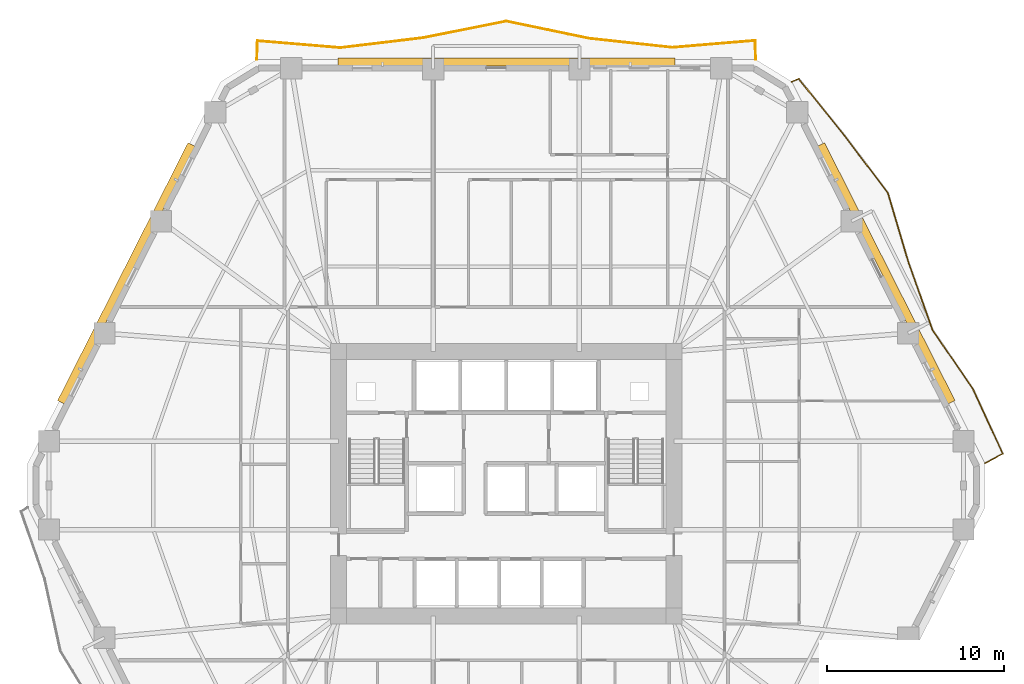
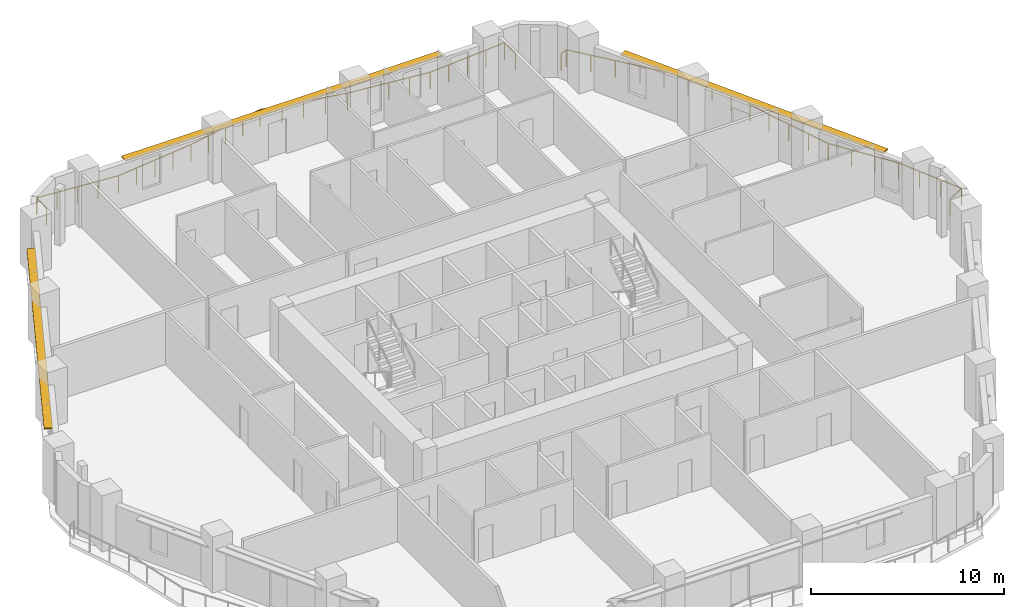
# One storey, part 13 of 13: 3 shading devices, 2 railings.
"""IFC4 building model written with IfcOpenShell, lengths in metres."""

from ifc_helpers import new_model, si_unit, direction, frame, origin, origin_2d, place, context, subcontext, project, spatial, rectangle, extrude, material, layer, layer_set, type_object, element, save


model = new_model("IFC4")

# Units and contexts
model_context = context("Model", 3, precision=1e-05, world=origin(), true_north=direction((0.0, 1.0)))
body_context = subcontext(model_context, "Body", "Model", "MODEL_VIEW")
ifc_project = project(units=[si_unit("LENGTHUNIT", "METRE"), si_unit("AREAUNIT", "SQUARE_METRE"), si_unit("VOLUMEUNIT", "CUBIC_METRE"), si_unit("PLANEANGLEUNIT", "RADIAN"), si_unit("MASSUNIT", "GRAM", prefix="KILO")], contexts=[model_context])

# Site, building, storey
site_placement = place(None, origin())
site = spatial("IfcSite", under=ifc_project, at=site_placement, CompositionType="ELEMENT")
building_placement = place(site_placement, origin())
building = spatial("IfcBuilding", under=site, at=building_placement, Name="Cinnabar Lancet Tower", CompositionType="ELEMENT")
storey_placement = place(building_placement, frame((0.0, 0.0, 63.949951171875)))
storey = spatial("IfcBuildingStorey", under=building, at=storey_placement, Name="L16", CompositionType="ELEMENT", Elevation=63.949951171875)

# Railings
ifc_material_1 = material(Name="Laminated safety glass and bronze stainless steel balustrade", Category="steel")
railing_type = type_object("IfcRailingType", Name="ENV-RLG-BAL-1100", PredefinedType="BALUSTRADE", material=ifc_material_1)
railing_1_placement = place(storey_placement, frame((59.367919921875, 27.049072265625, 0.0)))
element("IfcRailing", 1, at=railing_1_placement, inside=storey, type_object=railing_type, Name="L16 Face 3 Wave Balcony Balustrade", PredefinedType="BALUSTRADE", context=body_context, shape_type="SweptSolid", body=[
    extrude(rectangle(XDim=0.048095703125, YDim=0.048095703125, at=origin_2d()), frame((0.0, 0.0, 1.076171875), z_axis=(0.880930131832, 0.473246344761, 0.0), x_axis=(-0.473246344761, 0.880930131832, 0.0)), (0.0, 0.0, 1.0), 1.143310546875),
    extrude(rectangle(XDim=0.048095703125, YDim=0.048095703125, at=origin_2d()), frame((1.007080078125, 0.541015625, 1.076171875), z_axis=(-0.419255107673, 0.907868467726, 0.0), x_axis=(-0.907868467726, -0.419255107673, 0.0)), (0.0, 0.0, 1.0), 4.00927734375),
    extrude(rectangle(XDim=0.048095703125, YDim=0.048095703125, at=origin_2d()), frame((-0.673828125, 4.180908203125, 1.076171875), z_axis=(-0.56427013296, 0.825590223446, 0.0), x_axis=(-0.825590223446, -0.56427013296, 0.0)), (0.0, 0.0, 1.0), 4.040771484375),
    extrude(rectangle(XDim=0.048095703125, YDim=0.048095703125, at=origin_2d()), frame((-2.953857421875, 7.516845703125, 1.076171875), z_axis=(-0.335102711067, 0.942181603002, 0.0), x_axis=(-0.942181603002, -0.335102711067, 0.0)), (0.0, 0.0, 1.0), 4.03759765625),
    extrude(rectangle(XDim=0.048095703125, YDim=0.048095703125, at=origin_2d()), frame((-4.306884765625, 11.321044921875, 1.076171875), z_axis=(-0.284376155961, 0.958712783852, 0.0), x_axis=(-0.958712783852, -0.284376155961, 0.0)), (0.0, 0.0, 1.0), 4.072021484375),
    extrude(rectangle(XDim=0.048095703125, YDim=0.048095703125, at=origin_2d()), frame((-5.46484375, 15.224853515625, 1.076171875), z_axis=(-0.602721117111, 0.797951912705, 0.0), x_axis=(-0.797951912705, -0.602721117111, 0.0)), (0.0, 0.0, 1.0), 4.07177734375),
    extrude(rectangle(XDim=0.048095703125, YDim=0.048095703125, at=origin_2d()), frame((-7.9189453125, 18.473876953125, 1.076171875), z_axis=(-0.627793217318, 0.778380161804, 0.0), x_axis=(-0.778380161804, -0.627793217318, 0.0)), (0.0, 0.0, 1.0), 4.096923828125),
    extrude(rectangle(XDim=0.048095703125, YDim=0.048095703125, at=origin_2d()), frame((-10.490966796875, 21.662841796875, 1.076171875), z_axis=(-0.924052162714, -0.382266400018, 0.0), x_axis=(0.382266400018, -0.924052162714, 0.0)), (0.0, 0.0, 1.0), 0.4208984375),
    extrude(rectangle(XDim=0.0419921875, YDim=0.0419921875, at=origin_2d()), origin(), (0.0, 0.0, 1.0), 1.052001953125),
    extrude(rectangle(XDim=0.0419921875, YDim=0.0419921875, at=origin_2d()), frame((1.007080078125, 0.541015625, 0.0)), (0.0, 0.0, 1.0), 1.052001953125),
    extrude(rectangle(XDim=0.0419921875, YDim=0.0419921875, at=origin_2d()), frame((0.44677734375, 1.75439453125, 0.0)), (0.0, 0.0, 1.0), 1.052001953125),
    extrude(rectangle(XDim=0.0419921875, YDim=0.0419921875, at=origin_2d()), frame((-0.113525390625, 2.967529296875, 0.0)), (0.0, 0.0, 1.0), 1.052001953125),
    extrude(rectangle(XDim=0.0419921875, YDim=0.0419921875, at=origin_2d()), frame((-0.673828125, 4.180908203125, 0.0)), (0.0, 0.0, 1.0), 1.052001953125),
    extrude(rectangle(XDim=0.0419921875, YDim=0.0419921875, at=origin_2d()), frame((-1.433837890625, 5.29296875, 0.0)), (0.0, 0.0, 1.0), 1.052001953125),
    extrude(rectangle(XDim=0.0419921875, YDim=0.0419921875, at=origin_2d()), frame((-2.19384765625, 6.40478515625, 0.0)), (0.0, 0.0, 1.0), 1.052001953125),
    extrude(rectangle(XDim=0.0419921875, YDim=0.0419921875, at=origin_2d()), frame((-2.953857421875, 7.516845703125, 0.0)), (0.0, 0.0, 1.0), 1.052001953125),
    extrude(rectangle(XDim=0.0419921875, YDim=0.0419921875, at=origin_2d()), frame((-3.40478515625, 8.784912109375, 0.0)), (0.0, 0.0, 1.0), 1.052001953125),
    extrude(rectangle(XDim=0.0419921875, YDim=0.0419921875, at=origin_2d()), frame((-3.85595703125, 10.052978515625, 0.0)), (0.0, 0.0, 1.0), 1.052001953125),
    extrude(rectangle(XDim=0.0419921875, YDim=0.0419921875, at=origin_2d()), frame((-4.306884765625, 11.321044921875, 0.0)), (0.0, 0.0, 1.0), 1.052001953125),
    extrude(rectangle(XDim=0.0419921875, YDim=0.0419921875, at=origin_2d()), frame((-4.69287109375, 12.622314453125, 0.0)), (0.0, 0.0, 1.0), 1.052001953125),
    extrude(rectangle(XDim=0.0419921875, YDim=0.0419921875, at=origin_2d()), frame((-5.078857421875, 13.923583984375, 0.0)), (0.0, 0.0, 1.0), 1.052001953125),
    extrude(rectangle(XDim=0.0419921875, YDim=0.0419921875, at=origin_2d()), frame((-5.46484375, 15.224853515625, 0.0)), (0.0, 0.0, 1.0), 1.052001953125),
    extrude(rectangle(XDim=0.0419921875, YDim=0.0419921875, at=origin_2d()), frame((-6.282958984375, 16.307861328125, 0.0)), (0.0, 0.0, 1.0), 1.052001953125),
    extrude(rectangle(XDim=0.0419921875, YDim=0.0419921875, at=origin_2d()), frame((-7.100830078125, 17.390869140625, 0.0)), (0.0, 0.0, 1.0), 1.052001953125),
    extrude(rectangle(XDim=0.0419921875, YDim=0.0419921875, at=origin_2d()), frame((-7.9189453125, 18.473876953125, 0.0)), (0.0, 0.0, 1.0), 1.052001953125),
    extrude(rectangle(XDim=0.0419921875, YDim=0.0419921875, at=origin_2d()), frame((-8.7763671875, 19.536865234375, 0.0)), (0.0, 0.0, 1.0), 1.052001953125),
    extrude(rectangle(XDim=0.0419921875, YDim=0.0419921875, at=origin_2d()), frame((-9.633544921875, 20.599853515625, 0.0)), (0.0, 0.0, 1.0), 1.052001953125),
    extrude(rectangle(XDim=0.0419921875, YDim=0.0419921875, at=origin_2d()), frame((-10.490966796875, 21.662841796875, 0.0)), (0.0, 0.0, 1.0), 1.052001953125),
    extrude(rectangle(XDim=0.0419921875, YDim=0.0419921875, at=origin_2d()), frame((-10.8798828125, 21.501953125, 0.0)), (0.0, 0.0, 1.0), 1.052001953125),
])
railing_2_placement = place(storey_placement, frame((46.4560546875, 49.800048828125, 0.0)))
element("IfcRailing", 2, at=railing_2_placement, inside=storey, type_object=railing_type, Name="L16 Face 4 Wave Balcony Balustrade", PredefinedType="BALUSTRADE", context=body_context, shape_type="SweptSolid", body=[
    extrude(rectangle(XDim=0.048095703125, YDim=0.048095703125, at=origin_2d()), frame((0.0, 0.0, 1.076171875), z_axis=(-0.031791701999, 0.999494516085, 0.0), x_axis=(-0.999494516085, -0.031791701999, 0.0)), (0.0, 0.0, 1.0), 1.0673828125),
    extrude(rectangle(XDim=0.048095703125, YDim=0.048095703125, at=origin_2d()), frame((-0.033935546875, 1.06689453125, 1.076171875), z_axis=(-0.996559022508, -0.082886154799, 0.0), x_axis=(0.082886154799, -0.996559022508, 0.0)), (0.0, 0.0, 1.0), 4.692138671875),
    extrude(rectangle(XDim=0.048095703125, YDim=0.048095703125, at=origin_2d()), frame((-4.7099609375, 0.677978515625, 1.076171875), z_axis=(-0.9941443418, 0.108060296437, 0.0), x_axis=(-0.108060296437, -0.9941443418, 0.0)), (0.0, 0.0, 1.0), 4.70166015625),
    extrude(rectangle(XDim=0.048095703125, YDim=0.048095703125, at=origin_2d()), frame((-9.384033203125, 1.18603515625, 1.076171875), z_axis=(-0.979081176195, 0.203470023396, 0.0), x_axis=(-0.203470023396, -0.979081176195, 0.0)), (0.0, 0.0, 1.0), 4.77197265625),
    extrude(rectangle(XDim=0.048095703125, YDim=0.048095703125, at=origin_2d()), frame((-14.05615234375, 2.156982421875, 1.076171875), z_axis=(-0.98063188761, -0.195859901466, 0.0), x_axis=(0.195859901466, -0.98063188761, 0.0)), (0.0, 0.0, 1.0), 4.76416015625),
    extrude(rectangle(XDim=0.048095703125, YDim=0.048095703125, at=origin_2d()), frame((-18.72802734375, 1.223876953125, 1.076171875), z_axis=(-0.992823983267, -0.119584857948, 0.0), x_axis=(0.119584857948, -0.992823983267, 0.0)), (0.0, 0.0, 1.0), 4.707763671875),
    extrude(rectangle(XDim=0.048095703125, YDim=0.048095703125, at=origin_2d()), frame((-23.402099609375, 0.660888671875, 1.076171875), z_axis=(-0.996537500232, 0.083144516544, 0.0), x_axis=(-0.083144516544, -0.996537500232, 0.0)), (0.0, 0.0, 1.0), 4.6923828125),
    extrude(rectangle(XDim=0.048095703125, YDim=0.048095703125, at=origin_2d()), frame((-28.078125, 1.051025390625, 1.076171875), z_axis=(-0.032271219895, -0.99947914854, 0.0), x_axis=(0.99947914854, -0.032271219895, 0.0)), (0.0, 0.0, 1.0), 1.051513671875),
    extrude(rectangle(XDim=0.0419921875, YDim=0.0419921875, at=origin_2d()), origin(), (0.0, 0.0, 1.0), 1.052001953125),
    extrude(rectangle(XDim=0.0419921875, YDim=0.0419921875, at=origin_2d()), frame((-0.033935546875, 1.06689453125, 0.0)), (0.0, 0.0, 1.0), 1.052001953125),
    extrude(rectangle(XDim=0.0419921875, YDim=0.0419921875, at=origin_2d()), frame((-1.202880859375, 0.9697265625, 0.0)), (0.0, 0.0, 1.0), 1.052001953125),
    extrude(rectangle(XDim=0.0419921875, YDim=0.0419921875, at=origin_2d()), frame((-2.3720703125, 0.87255859375, 0.0)), (0.0, 0.0, 1.0), 1.052001953125),
    extrude(rectangle(XDim=0.0419921875, YDim=0.0419921875, at=origin_2d()), frame((-3.541015625, 0.775146484375, 0.0)), (0.0, 0.0, 1.0), 1.052001953125),
    extrude(rectangle(XDim=0.0419921875, YDim=0.0419921875, at=origin_2d()), frame((-4.7099609375, 0.677978515625, 0.0)), (0.0, 0.0, 1.0), 1.052001953125),
    extrude(rectangle(XDim=0.0419921875, YDim=0.0419921875, at=origin_2d()), frame((-5.87841796875, 0.804931640625, 0.0)), (0.0, 0.0, 1.0), 1.052001953125),
    extrude(rectangle(XDim=0.0419921875, YDim=0.0419921875, at=origin_2d()), frame((-7.046875, 0.93212890625, 0.0)), (0.0, 0.0, 1.0), 1.052001953125),
    extrude(rectangle(XDim=0.0419921875, YDim=0.0419921875, at=origin_2d()), frame((-8.215576171875, 1.05908203125, 0.0)), (0.0, 0.0, 1.0), 1.052001953125),
    extrude(rectangle(XDim=0.0419921875, YDim=0.0419921875, at=origin_2d()), frame((-9.384033203125, 1.18603515625, 0.0)), (0.0, 0.0, 1.0), 1.052001953125),
    extrude(rectangle(XDim=0.0419921875, YDim=0.0419921875, at=origin_2d()), frame((-10.552001953125, 1.4287109375, 0.0)), (0.0, 0.0, 1.0), 1.052001953125),
    extrude(rectangle(XDim=0.0419921875, YDim=0.0419921875, at=origin_2d()), frame((-11.72021484375, 1.67138671875, 0.0)), (0.0, 0.0, 1.0), 1.052001953125),
    extrude(rectangle(XDim=0.0419921875, YDim=0.0419921875, at=origin_2d()), frame((-12.88818359375, 1.914306640625, 0.0)), (0.0, 0.0, 1.0), 1.052001953125),
    extrude(rectangle(XDim=0.0419921875, YDim=0.0419921875, at=origin_2d()), frame((-14.05615234375, 2.156982421875, 0.0)), (0.0, 0.0, 1.0), 1.052001953125),
    extrude(rectangle(XDim=0.0419921875, YDim=0.0419921875, at=origin_2d()), frame((-15.22412109375, 1.923828125, 0.0)), (0.0, 0.0, 1.0), 1.052001953125),
    extrude(rectangle(XDim=0.0419921875, YDim=0.0419921875, at=origin_2d()), frame((-16.39208984375, 1.6904296875, 0.0)), (0.0, 0.0, 1.0), 1.052001953125),
    extrude(rectangle(XDim=0.0419921875, YDim=0.0419921875, at=origin_2d()), frame((-17.56005859375, 1.45703125, 0.0)), (0.0, 0.0, 1.0), 1.052001953125),
    extrude(rectangle(XDim=0.0419921875, YDim=0.0419921875, at=origin_2d()), frame((-18.72802734375, 1.223876953125, 0.0)), (0.0, 0.0, 1.0), 1.052001953125),
    extrude(rectangle(XDim=0.0419921875, YDim=0.0419921875, at=origin_2d()), frame((-19.896484375, 1.0830078125, 0.0)), (0.0, 0.0, 1.0), 1.052001953125),
    extrude(rectangle(XDim=0.0419921875, YDim=0.0419921875, at=origin_2d()), frame((-21.06494140625, 0.9423828125, 0.0)), (0.0, 0.0, 1.0), 1.052001953125),
    extrude(rectangle(XDim=0.0419921875, YDim=0.0419921875, at=origin_2d()), frame((-22.233642578125, 0.8017578125, 0.0)), (0.0, 0.0, 1.0), 1.052001953125),
    extrude(rectangle(XDim=0.0419921875, YDim=0.0419921875, at=origin_2d()), frame((-23.402099609375, 0.660888671875, 0.0)), (0.0, 0.0, 1.0), 1.052001953125),
    extrude(rectangle(XDim=0.0419921875, YDim=0.0419921875, at=origin_2d()), frame((-24.571044921875, 0.75830078125, 0.0)), (0.0, 0.0, 1.0), 1.052001953125),
    extrude(rectangle(XDim=0.0419921875, YDim=0.0419921875, at=origin_2d()), frame((-25.740234375, 0.85595703125, 0.0)), (0.0, 0.0, 1.0), 1.052001953125),
    extrude(rectangle(XDim=0.0419921875, YDim=0.0419921875, at=origin_2d()), frame((-26.9091796875, 0.95361328125, 0.0)), (0.0, 0.0, 1.0), 1.052001953125),
    extrude(rectangle(XDim=0.0419921875, YDim=0.0419921875, at=origin_2d()), frame((-28.078125, 1.051025390625, 0.0)), (0.0, 0.0, 1.0), 1.052001953125),
    extrude(rectangle(XDim=0.0419921875, YDim=0.0419921875, at=origin_2d()), frame((-28.112060546875, 0.0, 0.0)), (0.0, 0.0, 1.0), 1.052001953125),
])

# Shading devices
ifc_material_2 = material(Name="Pale limestone architectural aluminium sunshade", Category="masonry")
ifc_layer = layer(ifc_material_2, 0.080078125)
ifc_layer_set = layer_set([ifc_layer], Name="Pale limestone architectural aluminium sunshade")
shading_device_type = type_object("IfcShadingDeviceType", Name="ENV-SHD-LVR-450", PredefinedType="JALOUSIE", material=ifc_layer_set)
shading_device_1_placement = place(storey_placement, frame((53.81005859375, 37.743896484375, 2.639892578125), z_axis=(0.0, 0.0, 1.0), x_axis=(-0.451500573218, 0.892270829056, 0.0)))
element("IfcShadingDevice", 3, at=shading_device_1_placement, inside=storey, type_object=shading_device_type, Name="L16 Face 3 Horizontal Sunshade Canopy", PredefinedType="JALOUSIE", context=body_context, shape_type="SweptSolid", body=[
    extrude(rectangle(XDim=16.279052734375, YDim=0.449951171875, at=origin_2d()), origin(), (0.0, 0.0, 1.0), 0.080078125),
])
shading_device_2_placement = place(storey_placement, frame((32.39990234375, 49.669921875, 2.639892578125), z_axis=(0.0, 0.0, 1.0), x_axis=(-1.0, 0.0, 0.0)))
element("IfcShadingDevice", 4, at=shading_device_2_placement, inside=storey, type_object=shading_device_type, Name="L16 Face 4 Horizontal Sunshade Canopy", PredefinedType="JALOUSIE", context=body_context, shape_type="SweptSolid", body=[
    extrude(rectangle(XDim=18.993896484375, YDim=0.449951171875, at=origin_2d()), origin(), (0.0, 0.0, 1.0), 0.080078125),
])
shading_device_3_placement = place(storey_placement, frame((10.989990234375, 37.743896484375, 2.639892578125), z_axis=(0.0, 0.0, 1.0), x_axis=(-0.451500573218, -0.892270829056, 0.0)))
element("IfcShadingDevice", 5, at=shading_device_3_placement, inside=storey, type_object=shading_device_type, Name="L16 Face 5 Horizontal Sunshade Canopy", PredefinedType="JALOUSIE", context=body_context, shape_type="SweptSolid", body=[
    extrude(rectangle(XDim=16.279052734375, YDim=0.449951171875, at=origin_2d()), origin(), (0.0, 0.0, 1.0), 0.080078125),
])

save(model, "model.ifc")
